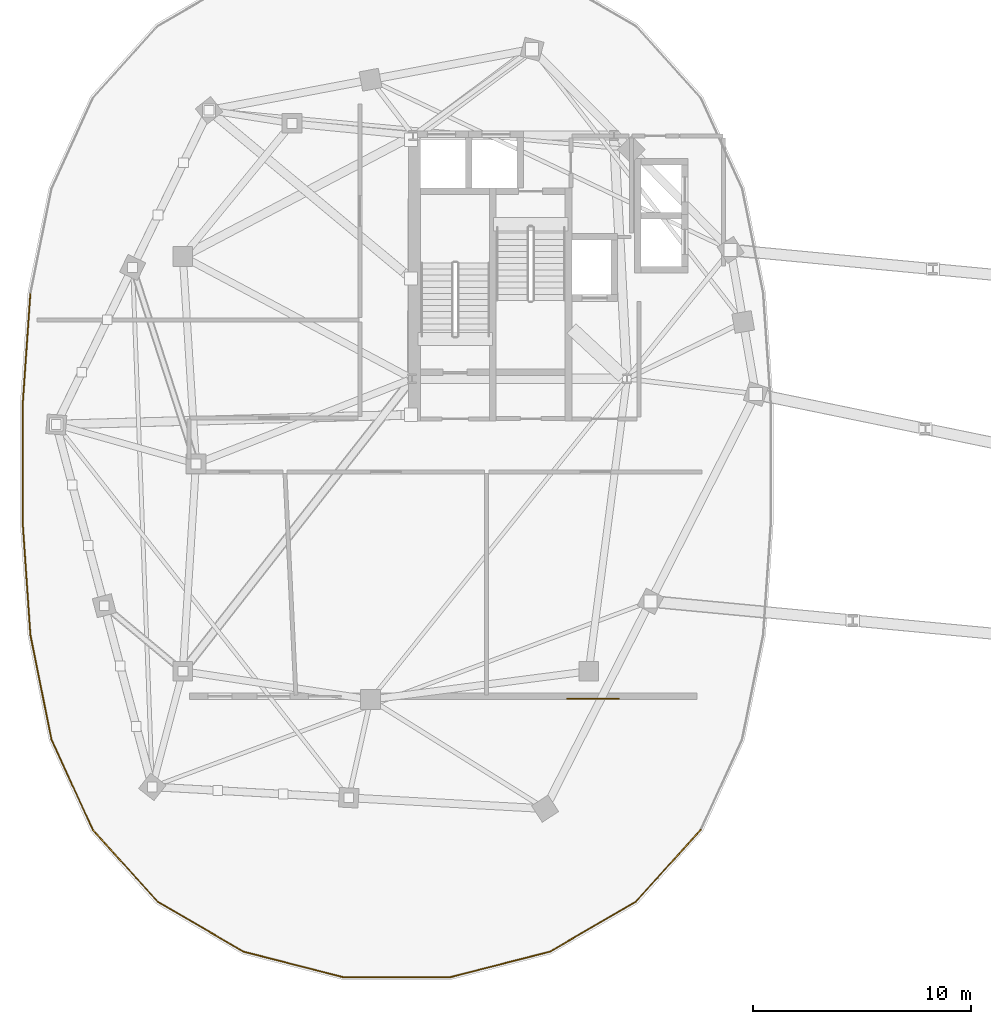
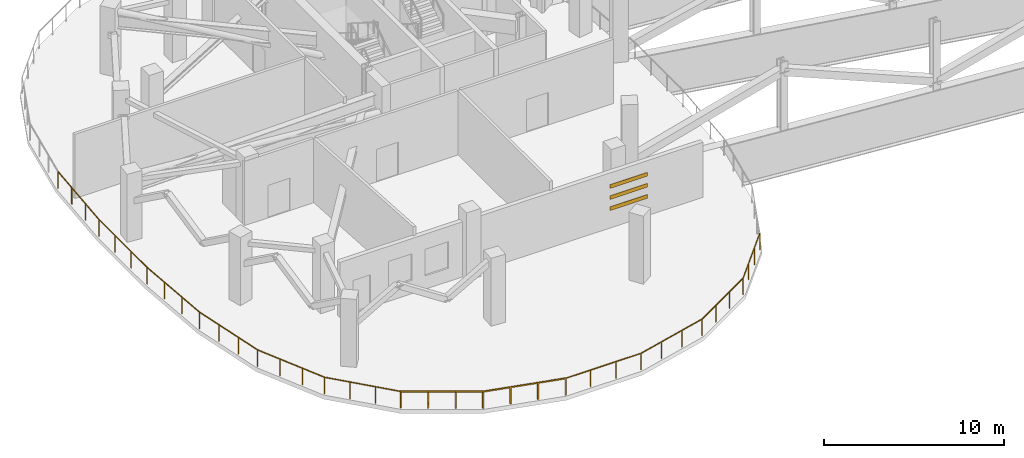
# One storey, part 11 of 16: 6 railings, 3 shading devices.
"""IFC4 building model written with IfcOpenShell, lengths in metres."""

from ifc_helpers import new_model, si_unit, direction, frame, origin, origin_2d, place, context, subcontext, project, spatial, rectangle, extrude, material, material_profile, profile_set, type_object, element, save


model = new_model("IFC4")

# Units and contexts
model_context = context("Model", 3, precision=1e-05, world=origin(), true_north=direction((0.0, 1.0)))
body_context = subcontext(model_context, "Body", "Model", "MODEL_VIEW")
ifc_project = project(units=[si_unit("LENGTHUNIT", "METRE"), si_unit("AREAUNIT", "SQUARE_METRE"), si_unit("VOLUMEUNIT", "CUBIC_METRE"), si_unit("PLANEANGLEUNIT", "RADIAN"), si_unit("MASSUNIT", "GRAM", prefix="KILO"), si_unit("THERMODYNAMICTEMPERATUREUNIT", "KELVIN"), si_unit("POWERUNIT", "WATT")], contexts=[model_context])

# Site, building, storey
site_placement = place(None, origin())
site = spatial("IfcSite", under=ifc_project, at=site_placement, CompositionType="ELEMENT")
building_placement = place(site_placement, origin())
building = spatial("IfcBuilding", under=site, at=building_placement, Name="Cundina Bronze Exchange", CompositionType="ELEMENT")
storey_placement = place(building_placement, frame((0.0, 0.0, 235.0)))
storey = spatial("IfcBuildingStorey", under=building, at=storey_placement, Name="L62", CompositionType="ELEMENT", Elevation=235.0)

# Railings
ifc_material = material(Name="Anodised Bronze Aluminium 6063-T6", Category="aluminium")
railing_type = type_object("IfcRailingType", Name="RLG-GRD-1150", PredefinedType="GUARDRAIL", material=ifc_material)
railing_1_placement = place(storey_placement, frame((-18.069580078125, -16.762451171875, 0.0)))
element("IfcRailing", 1, at=railing_1_placement, inside=storey, type_object=railing_type, Name="L62 Perimeter Safety Guardrail 03", PredefinedType="GUARDRAIL", context=body_context, shape_type="SweptSolid", body=[
    extrude(rectangle(XDim=0.048095703125, YDim=0.048095703125, at=origin_2d()), frame((0.0, 0.0, 1.1259765625), z_axis=(-0.669381252421, -0.742919066189, 0.0), x_axis=(0.742919066189, -0.669381252421, 0.0)), (0.0, 0.0, 1.0), 4.435546875),
    extrude(rectangle(XDim=0.048095703125, YDim=0.048095703125, at=origin_2d()), frame((-2.968994140625, -3.295166015625, 1.1259765625), z_axis=(-0.864468804017, -0.502686469762, 0.0), x_axis=(0.502686469762, -0.864468804017, 0.0)), (0.0, 0.0, 1.0), 4.56396484375),
    extrude(rectangle(XDim=0.0419921875, YDim=0.0419921875, at=origin_2d()), origin(), (0.0, 0.0, 1.0), 1.101806640625),
    extrude(rectangle(XDim=0.0419921875, YDim=0.0419921875, at=origin_2d()), frame((-0.98974609375, -1.098388671875, 0.0)), (0.0, 0.0, 1.0), 1.101806640625),
    extrude(rectangle(XDim=0.0419921875, YDim=0.0419921875, at=origin_2d()), frame((-1.979248046875, -2.19677734375, 0.0)), (0.0, 0.0, 1.0), 1.101806640625),
    extrude(rectangle(XDim=0.0419921875, YDim=0.0419921875, at=origin_2d()), frame((-2.968994140625, -3.295166015625, 0.0)), (0.0, 0.0, 1.0), 1.101806640625),
    extrude(rectangle(XDim=0.0419921875, YDim=0.0419921875, at=origin_2d()), frame((-4.2841796875, -4.059814453125, 0.0)), (0.0, 0.0, 1.0), 1.101806640625),
    extrude(rectangle(XDim=0.0419921875, YDim=0.0419921875, at=origin_2d()), frame((-5.59912109375, -4.82470703125, 0.0)), (0.0, 0.0, 1.0), 1.101806640625),
    extrude(rectangle(XDim=0.0419921875, YDim=0.0419921875, at=origin_2d()), frame((-6.914306640625, -5.58935546875, 0.0)), (0.0, 0.0, 1.0), 1.101806640625),
])
railing_2_placement = place(storey_placement, frame((-24.98388671875, -22.351806640625, 0.0)))
element("IfcRailing", 2, at=railing_2_placement, inside=storey, type_object=railing_type, Name="L62 Perimeter Safety Guardrail 04", PredefinedType="GUARDRAIL", context=body_context, shape_type="SweptSolid", body=[
    extrude(rectangle(XDim=0.048095703125, YDim=0.048095703125, at=origin_2d()), frame((0.0, 0.0, 1.1259765625), z_axis=(-0.968744989664, -0.248058753123, 0.0), x_axis=(0.248058753123, -0.968744989664, 0.0)), (0.0, 0.0, 1.0), 4.749755859375),
    extrude(rectangle(XDim=0.048095703125, YDim=0.048095703125, at=origin_2d()), frame((-4.601318359375, -1.17822265625, 1.1259765625), z_axis=(-1.0, 0.0, 0.0), x_axis=(0.0, -1.0, 0.0)), (0.0, 0.0, 1.0), 4.82958984375),
    extrude(rectangle(XDim=0.0419921875, YDim=0.0419921875, at=origin_2d()), origin(), (0.0, 0.0, 1.0), 1.101806640625),
    extrude(rectangle(XDim=0.0419921875, YDim=0.0419921875, at=origin_2d()), frame((-1.53369140625, -0.392822265625, 0.0)), (0.0, 0.0, 1.0), 1.101806640625),
    extrude(rectangle(XDim=0.0419921875, YDim=0.0419921875, at=origin_2d()), frame((-3.067626953125, -0.785400390625, 0.0)), (0.0, 0.0, 1.0), 1.101806640625),
    extrude(rectangle(XDim=0.0419921875, YDim=0.0419921875, at=origin_2d()), frame((-4.601318359375, -1.17822265625, 0.0)), (0.0, 0.0, 1.0), 1.101806640625),
    extrude(rectangle(XDim=0.0419921875, YDim=0.0419921875, at=origin_2d()), frame((-6.211181640625, -1.17822265625, 0.0)), (0.0, 0.0, 1.0), 1.101806640625),
    extrude(rectangle(XDim=0.0419921875, YDim=0.0419921875, at=origin_2d()), frame((-7.821044921875, -1.17822265625, 0.0)), (0.0, 0.0, 1.0), 1.101806640625),
    extrude(rectangle(XDim=0.0419921875, YDim=0.0419921875, at=origin_2d()), frame((-9.430908203125, -1.17822265625, 0.0)), (0.0, 0.0, 1.0), 1.101806640625),
])
railing_3_placement = place(storey_placement, frame((-34.414794921875, -23.530029296875, 0.0)))
element("IfcRailing", 3, at=railing_3_placement, inside=storey, type_object=railing_type, Name="L62 Perimeter Safety Guardrail 05", PredefinedType="GUARDRAIL", context=body_context, shape_type="SweptSolid", body=[
    extrude(rectangle(XDim=0.048095703125, YDim=0.048095703125, at=origin_2d()), frame((0.0, 0.0, 1.1259765625), z_axis=(-0.968744989664, 0.248058753123, 0.0), x_axis=(-0.248058753123, -0.968744989664, 0.0)), (0.0, 0.0, 1.0), 4.749755859375),
    extrude(rectangle(XDim=0.048095703125, YDim=0.048095703125, at=origin_2d()), frame((-4.601318359375, 1.17822265625, 1.1259765625), z_axis=(-0.864468804017, 0.502686469762, 0.0), x_axis=(-0.502686469762, -0.864468804017, 0.0)), (0.0, 0.0, 1.0), 4.56396484375),
    extrude(rectangle(XDim=0.0419921875, YDim=0.0419921875, at=origin_2d()), origin(), (0.0, 0.0, 1.0), 1.101806640625),
    extrude(rectangle(XDim=0.0419921875, YDim=0.0419921875, at=origin_2d()), frame((-1.53369140625, 0.392822265625, 0.0)), (0.0, 0.0, 1.0), 1.101806640625),
    extrude(rectangle(XDim=0.0419921875, YDim=0.0419921875, at=origin_2d()), frame((-3.067626953125, 0.785400390625, 0.0)), (0.0, 0.0, 1.0), 1.101806640625),
    extrude(rectangle(XDim=0.0419921875, YDim=0.0419921875, at=origin_2d()), frame((-4.601318359375, 1.17822265625, 0.0)), (0.0, 0.0, 1.0), 1.101806640625),
    extrude(rectangle(XDim=0.0419921875, YDim=0.0419921875, at=origin_2d()), frame((-5.91650390625, 1.94287109375, 0.0)), (0.0, 0.0, 1.0), 1.101806640625),
    extrude(rectangle(XDim=0.0419921875, YDim=0.0419921875, at=origin_2d()), frame((-7.2314453125, 2.707763671875, 0.0)), (0.0, 0.0, 1.0), 1.101806640625),
    extrude(rectangle(XDim=0.0419921875, YDim=0.0419921875, at=origin_2d()), frame((-8.546630859375, 3.472412109375, 0.0)), (0.0, 0.0, 1.0), 1.101806640625),
])
railing_4_placement = place(storey_placement, frame((-42.96142578125, -20.0576171875, 0.0)))
element("IfcRailing", 4, at=railing_4_placement, inside=storey, type_object=railing_type, Name="L62 Perimeter Safety Guardrail 06", PredefinedType="GUARDRAIL", context=body_context, shape_type="SweptSolid", body=[
    extrude(rectangle(XDim=0.048095703125, YDim=0.048095703125, at=origin_2d()), frame((0.0, 0.0, 1.1259765625), z_axis=(-0.669381252421, 0.742919066189, 0.0), x_axis=(-0.742919066189, -0.669381252421, 0.0)), (0.0, 0.0, 1.0), 4.435546875),
    extrude(rectangle(XDim=0.048095703125, YDim=0.048095703125, at=origin_2d()), frame((-2.968994140625, 3.295166015625, 1.1259765625), z_axis=(-0.415419797692, 0.909629810244, 0.0), x_axis=(-0.909629810244, -0.415419797692, 0.0)), (0.0, 0.0, 1.0), 4.548828125),
    extrude(rectangle(XDim=0.0419921875, YDim=0.0419921875, at=origin_2d()), origin(), (0.0, 0.0, 1.0), 1.101806640625),
    extrude(rectangle(XDim=0.0419921875, YDim=0.0419921875, at=origin_2d()), frame((-0.98974609375, 1.098388671875, 0.0)), (0.0, 0.0, 1.0), 1.101806640625),
    extrude(rectangle(XDim=0.0419921875, YDim=0.0419921875, at=origin_2d()), frame((-1.979248046875, 2.19677734375, 0.0)), (0.0, 0.0, 1.0), 1.101806640625),
    extrude(rectangle(XDim=0.0419921875, YDim=0.0419921875, at=origin_2d()), frame((-2.968994140625, 3.295166015625, 0.0)), (0.0, 0.0, 1.0), 1.101806640625),
    extrude(rectangle(XDim=0.0419921875, YDim=0.0419921875, at=origin_2d()), frame((-3.598876953125, 4.67431640625, 0.0)), (0.0, 0.0, 1.0), 1.101806640625),
    extrude(rectangle(XDim=0.0419921875, YDim=0.0419921875, at=origin_2d()), frame((-4.228759765625, 6.0537109375, 0.0)), (0.0, 0.0, 1.0), 1.101806640625),
    extrude(rectangle(XDim=0.0419921875, YDim=0.0419921875, at=origin_2d()), frame((-4.858642578125, 7.432861328125, 0.0)), (0.0, 0.0, 1.0), 1.101806640625),
])
railing_5_placement = place(storey_placement, frame((-47.820068359375, -12.624755859375, 0.0)))
element("IfcRailing", 5, at=railing_5_placement, inside=storey, type_object=railing_type, Name="L62 Perimeter Safety Guardrail 07", PredefinedType="GUARDRAIL", context=body_context, shape_type="SweptSolid", body=[
    extrude(rectangle(XDim=0.048095703125, YDim=0.048095703125, at=origin_2d()), frame((0.0, 0.0, 1.1259765625), z_axis=(-0.198060616224, 0.980189773616, 0.0), x_axis=(-0.980189773616, -0.198060616224, 0.0)), (0.0, 0.0, 1.0), 4.87646484375),
    extrude(rectangle(XDim=0.048095703125, YDim=0.048095703125, at=origin_2d()), frame((-0.9658203125, 4.77978515625, 1.1259765625), z_axis=(-0.068548934488, 0.997647755263, 0.0), x_axis=(-0.997647755263, -0.068548934488, 0.0)), (0.0, 0.0, 1.0), 5.1962890625),
    extrude(rectangle(XDim=0.0419921875, YDim=0.0419921875, at=origin_2d()), origin(), (0.0, 0.0, 1.0), 1.101806640625),
    extrude(rectangle(XDim=0.0419921875, YDim=0.0419921875, at=origin_2d()), frame((-0.322021484375, 1.59326171875, 0.0)), (0.0, 0.0, 1.0), 1.101806640625),
    extrude(rectangle(XDim=0.0419921875, YDim=0.0419921875, at=origin_2d()), frame((-0.643798828125, 3.1865234375, 0.0)), (0.0, 0.0, 1.0), 1.101806640625),
    extrude(rectangle(XDim=0.0419921875, YDim=0.0419921875, at=origin_2d()), frame((-0.9658203125, 4.77978515625, 0.0)), (0.0, 0.0, 1.0), 1.101806640625),
    extrude(rectangle(XDim=0.0419921875, YDim=0.0419921875, at=origin_2d()), frame((-1.08447265625, 6.5078125, 0.0)), (0.0, 0.0, 1.0), 1.101806640625),
    extrude(rectangle(XDim=0.0419921875, YDim=0.0419921875, at=origin_2d()), frame((-1.203369140625, 8.23583984375, 0.0)), (0.0, 0.0, 1.0), 1.101806640625),
    extrude(rectangle(XDim=0.0419921875, YDim=0.0419921875, at=origin_2d()), frame((-1.322021484375, 9.9638671875, 0.0)), (0.0, 0.0, 1.0), 1.101806640625),
])
railing_6_placement = place(storey_placement, frame((-49.14208984375, -2.660888671875, 0.0)))
element("IfcRailing", 6, at=railing_6_placement, inside=storey, type_object=railing_type, Name="L62 Perimeter Safety Guardrail 08", PredefinedType="GUARDRAIL", context=body_context, shape_type="SweptSolid", body=[
    extrude(rectangle(XDim=0.048095703125, YDim=0.048095703125, at=origin_2d()), frame((0.0, 0.0, 1.1259765625), z_axis=(0.0, 1.0, 0.0), x_axis=(-1.0, 0.0, 0.0)), (0.0, 0.0, 1.0), 5.32177734375),
    extrude(rectangle(XDim=0.048095703125, YDim=0.048095703125, at=origin_2d()), frame((0.0, 5.32177734375, 1.1259765625), z_axis=(0.068548934488, 0.997647755263, 0.0), x_axis=(-0.997647755263, 0.068548934488, 0.0)), (0.0, 0.0, 1.0), 5.1962890625),
    extrude(rectangle(XDim=0.0419921875, YDim=0.0419921875, at=origin_2d()), origin(), (0.0, 0.0, 1.0), 1.101806640625),
    extrude(rectangle(XDim=0.0419921875, YDim=0.0419921875, at=origin_2d()), frame((0.0, 1.77392578125, 0.0)), (0.0, 0.0, 1.0), 1.101806640625),
    extrude(rectangle(XDim=0.0419921875, YDim=0.0419921875, at=origin_2d()), frame((0.0, 3.5478515625, 0.0)), (0.0, 0.0, 1.0), 1.101806640625),
    extrude(rectangle(XDim=0.0419921875, YDim=0.0419921875, at=origin_2d()), frame((0.0, 5.32177734375, 0.0)), (0.0, 0.0, 1.0), 1.101806640625),
    extrude(rectangle(XDim=0.0419921875, YDim=0.0419921875, at=origin_2d()), frame((0.11865234375, 7.0498046875, 0.0)), (0.0, 0.0, 1.0), 1.101806640625),
    extrude(rectangle(XDim=0.0419921875, YDim=0.0419921875, at=origin_2d()), frame((0.237548828125, 8.77783203125, 0.0)), (0.0, 0.0, 1.0), 1.101806640625),
    extrude(rectangle(XDim=0.0419921875, YDim=0.0419921875, at=origin_2d()), frame((0.356201171875, 10.505859375, 0.0)), (0.0, 0.0, 1.0), 1.101806640625),
])

# Shading devices
ifc_material_profile = material_profile(ifc_material, rectangle(XDim=0.06005859375, YDim=0.25, at=origin_2d()), Name="LVR60X250", Category="aluminium")
ifc_profile_set = profile_set([ifc_material_profile], Name="Anodised Bronze Aluminium 6063-T6")
shading_device_type = type_object("IfcShadingDeviceType", Name="SHD-LVR-BRZ250", PredefinedType="JALOUSIE", material=ifc_profile_set)
for number, where, z_axis, x_axis, name in (
    (7, (-24.199951171875, -10.760009765625, 1.300048828125), (1.0, 0.0, 0.0), (0.0, 1.0, 0.0), "L62 Leg W Plant Intake Jalousie Louvre 1"),
    (8, (-24.199951171875, -10.760009765625, 2.050048828125), (1.0, 0.0, 0.0), (0.0, 1.0, 0.0), "L62 Leg W Plant Intake Jalousie Louvre 2"),
    (9, (-24.199951171875, -10.760009765625, 2.800048828125), (1.0, 0.0, 0.0), (0.0, 1.0, 0.0), "L62 Leg W Plant Intake Jalousie Louvre 3"),
):
    element("IfcShadingDevice", number, at=place(storey_placement, frame(where, z_axis=z_axis, x_axis=x_axis)), inside=storey, type_object=shading_device_type, Name=name, PredefinedType="JALOUSIE", context=body_context, shape_type="SweptSolid", body=[
        extrude(rectangle(XDim=0.06005859375, YDim=0.25, at=origin_2d()), origin(), (0.0, 0.0, 1.0), 2.39990234375),
    ])

save(model, "model.ifc")
